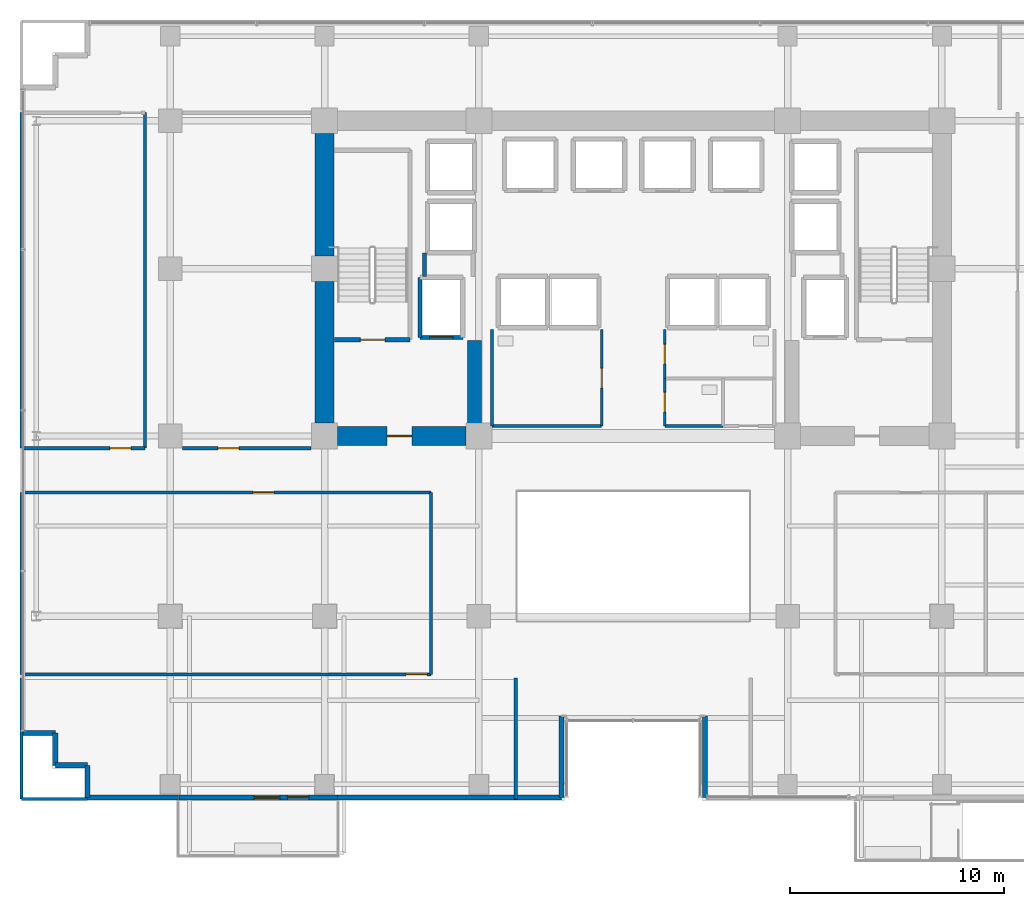
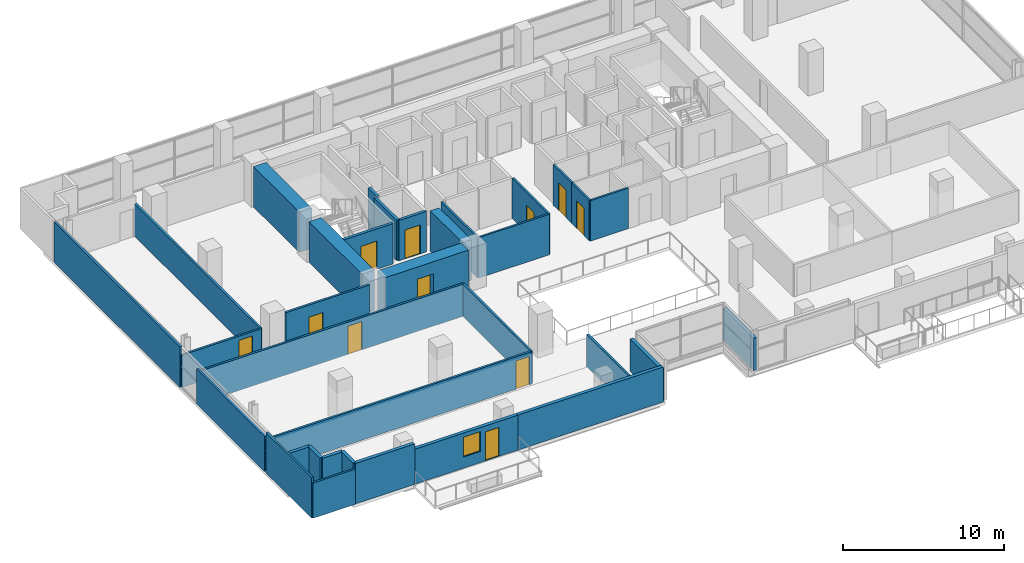
# One storey, part 21 of 28: 34 walls, 11 doors, 1 window, 12 openings.
"""IFC4 building model written with IfcOpenShell, lengths in metres."""

import ifcopenshell
import ifcopenshell.guid

model = None  # the IFC model being written
_history = None  # IfcOwnerHistory: only IFC2X3 demands one
_inside = {}  # id of a spatial element -> (the spatial element, [elements in it])
_under = {}  # id of a project, library or spatial element -> (it, [spatial elements below it])
_declared = {}  # id of a project -> (the project, [libraries it declares])
_typed = {}  # id of a type object -> (the type object, [elements of that type])
_made_of = {}  # id of a material, layer set ... -> (it, [elements and type objects made of it])


def new_model(schema):
    """Start an empty IFC model of exactly this schema.

    Asked for "IFC4X3", IfcOpenShell would pick the latest addendum, in which some entities
    have other attributes; the version numbers below select the first issue.
    IFC2X3 requires an IfcOwnerHistory on every rooted entity: one is made here for all.
    """
    global model, _history
    if schema == "IFC4X3":
        model = ifcopenshell.file(schema_version=(4, 3, 0, 0))
    else:
        model = ifcopenshell.file(schema=schema)
    _inside.clear()
    _under.clear()
    _declared.clear()
    _typed.clear()
    _made_of.clear()
    _history = None
    if model.schema == "IFC2X3":
        org = make("IfcOrganization", Name="unknown")
        user = make(
            "IfcPersonAndOrganization",
            ThePerson=make("IfcPerson", FamilyName="unknown"),
            TheOrganization=org,
        )
        app = make(
            "IfcApplication",
            ApplicationDeveloper=org,
            Version="unknown",
            ApplicationFullName="unknown",
            ApplicationIdentifier="unknown",
        )
        _history = make(
            "IfcOwnerHistory",
            OwningUser=user,
            OwningApplication=app,
            ChangeAction="ADDED",
            CreationDate=0,
        )
    return model


def make(cls, **values):
    """One entity of the class cls with the attributes given. An attribute that is None is left unset."""
    return model.create_entity(
        cls, **{name: value for name, value in values.items() if value is not None}
    )


def rooted(cls, **values):
    """An entity with a GlobalId (a new one), such as an element, a storey or a relation."""
    return make(cls, GlobalId=ifcopenshell.guid.new(), OwnerHistory=_history, **values)


def si_unit(unit_type, name, prefix=None):
    """IfcSIUnit, for example si_unit("LENGTHUNIT", "METRE", prefix="MILLI")."""
    return make("IfcSIUnit", UnitType=unit_type, Prefix=prefix, Name=name)


def assignment(units):
    """IfcUnitAssignment: the units of a project."""
    return None if units is None else make("IfcUnitAssignment", Units=units)


def point(xyz):
    """IfcCartesianPoint."""
    return None if xyz is None else make("IfcCartesianPoint", Coordinates=xyz)


def direction(xyz):
    """IfcDirection."""
    return None if xyz is None else make("IfcDirection", DirectionRatios=xyz)


def frame(location, z_axis=None, x_axis=None):
    """IfcAxis2Placement3D, a coordinate frame: its origin and axes. An axis left out is left unset."""
    return make(
        "IfcAxis2Placement3D",
        Location=point(location),
        Axis=direction(z_axis),
        RefDirection=direction(x_axis),
    )


def frame_2d(location, x_axis=None):
    """IfcAxis2Placement2D, a coordinate frame in the plane: its origin and x axis."""
    return make(
        "IfcAxis2Placement2D", Location=point(location), RefDirection=direction(x_axis)
    )


def origin():
    """The frame at (0, 0, 0) with its axes left unset."""
    return frame((0.0, 0.0, 0.0))


def place(relative_to, where):
    """IfcLocalPlacement: puts the frame where relative to a parent placement (None: the world)."""
    return make(
        "IfcLocalPlacement", PlacementRelTo=relative_to, RelativePlacement=where
    )


def context(
    kind, dimensions, precision=None, world=None, true_north=None, identifier=None
):
    """IfcGeometricRepresentationContext, for example the 3D "Model" context."""
    return make(
        "IfcGeometricRepresentationContext",
        ContextIdentifier=identifier,
        ContextType=kind,
        CoordinateSpaceDimension=dimensions,
        Precision=precision,
        WorldCoordinateSystem=world,
        TrueNorth=true_north,
    )


def subcontext(parent, identifier, kind, view, scale=None):
    """IfcGeometricRepresentationSubContext, for example "Body" below "Model"."""
    return make(
        "IfcGeometricRepresentationSubContext",
        ContextIdentifier=identifier,
        ContextType=kind,
        ParentContext=parent,
        TargetScale=scale,
        TargetView=view,
    )


def project(units=None, contexts=None):
    """IfcProject with its units and contexts."""
    return rooted(
        "IfcProject",
        Name="project",
        RepresentationContexts=contexts,
        UnitsInContext=assignment(units),
    )


def spatial(cls, under=None, at=None, **own):
    """A site, building, storey or space (cls), placed at a placement, below another one or the project."""
    s = rooted(cls, ObjectPlacement=at, **own)
    if under is not None:
        _under.setdefault(under.id(), (under, []))[1].append(s)
    return s


def profile(cls, at=None, kind="AREA", **sizes):
    """A parametric profile (cls). Its sizes go by their IFC names, for example OverallWidth=200.0."""
    return make(cls, ProfileType=kind, Position=at, **sizes)


def rectangle(**sizes):
    """IfcRectangleProfileDef."""
    return profile("IfcRectangleProfileDef", **sizes)


def extrude(swept, where, along, depth):
    """IfcExtrudedAreaSolid: the profile swept, set in the frame where, extruded along a direction by depth."""
    return make(
        "IfcExtrudedAreaSolid",
        SweptArea=swept,
        Position=where,
        ExtrudedDirection=direction(along),
        Depth=depth,
    )


def shape(context_of_items, identifier, shape_type, items):
    """IfcShapeRepresentation: the items that make up one representation, for example the "Body"."""
    return make(
        "IfcShapeRepresentation",
        ContextOfItems=context_of_items,
        RepresentationIdentifier=identifier,
        RepresentationType=shape_type,
        Items=items,
    )


def source(mapping_origin, context_of_items, identifier, shape_type, items):
    """IfcRepresentationMap: a shape defined once, which mapped items show again and again."""
    return make(
        "IfcRepresentationMap",
        MappingOrigin=mapping_origin,
        MappedRepresentation=shape(context_of_items, identifier, shape_type, items),
    )


def transform(
    local_origin,
    x_axis=None,
    y_axis=None,
    z_axis=None,
    scale=None,
    scale2=None,
    scale3=None,
    uniform=True,
):
    """IfcCartesianTransformationOperator3D, or its non-uniform kind. x_axis, y_axis, z_axis: its Axis1, 2, 3."""
    if uniform:
        return make(
            "IfcCartesianTransformationOperator3D",
            Axis1=direction(x_axis),
            Axis2=direction(y_axis),
            LocalOrigin=point(local_origin),
            Scale=scale,
            Axis3=direction(z_axis),
        )
    return make(
        "IfcCartesianTransformationOperator3DnonUniform",
        Axis1=direction(x_axis),
        Axis2=direction(y_axis),
        LocalOrigin=point(local_origin),
        Scale=scale,
        Axis3=direction(z_axis),
        Scale2=scale2,
        Scale3=scale3,
    )


def mapped(mapping_source, mapping_target):
    """IfcMappedItem: shows the shape of a source again, moved by a transform."""
    return make(
        "IfcMappedItem", MappingSource=mapping_source, MappingTarget=mapping_target
    )


def material(Name=None, Category=None):
    """IfcMaterial."""
    return make("IfcMaterial", Name=Name, Category=Category)


def layer(
    of_material, thickness, ventilated=None, Name=None, Category=None, Priority=None
):
    """IfcMaterialLayer: one layer of a wall or slab, of a material (None: an air gap)."""
    return make(
        "IfcMaterialLayer",
        Material=of_material,
        LayerThickness=thickness,
        IsVentilated=ventilated,
        Name=Name,
        Category=Category,
        Priority=Priority,
    )


def layer_set(layers, Name=None):
    """IfcMaterialLayerSet."""
    return make("IfcMaterialLayerSet", MaterialLayers=layers, LayerSetName=Name)


def made_of(thing, what):
    """Note that an element or type object is made of a material, layer set ...; save() writes the relation."""
    if what is not None:
        _made_of.setdefault(what.id(), (what, []))[1].append(thing)
    return thing


def type_object(cls, material=None, **own):
    """A type object (cls), such as IfcWallType, which elements share."""
    return made_of(rooted(cls, **own), material)


def element(
    cls,
    number,
    at=None,
    inside=None,
    cuts=None,
    type_object=None,
    material=None,
    context=None,
    identifier="Body",
    shape_type=None,
    held_by="IfcProductDefinitionShape",
    body=None,
    shapes=None,
    **own,
):
    """One element of the class cls, such as IfcWall. Its Tag is "e" and its number.

    at: its placement. inside: the storey or other place that contains it. cuts: it is an
    opening in that element (IfcRelVoidsElement). A single representation is given by context,
    identifier, shape_type and body (its items); several are given by shapes. held_by: the class
    of the entity that holds the representations. save() writes the other relations.
    """
    e = rooted(cls, Tag="e%d" % number, ObjectPlacement=at, **own)
    if body is not None:
        shapes = [shape(context, identifier, shape_type, body)]
    if shapes is not None:
        e.Representation = make(held_by, Representations=shapes)
    if inside is not None:
        _inside.setdefault(inside.id(), (inside, []))[1].append(e)
    if cuts is not None:
        rooted(
            "IfcRelVoidsElement", RelatingBuildingElement=cuts, RelatedOpeningElement=e
        )
    if type_object is not None:
        _typed.setdefault(type_object.id(), (type_object, []))[1].append(e)
    return made_of(e, material)


def fill(opening, filler):
    """IfcRelFillsElement: the door or window that sits in an opening."""
    return rooted(
        "IfcRelFillsElement",
        RelatingOpeningElement=opening,
        RelatedBuildingElement=filler,
    )


def aggregate(whole, parts):
    """IfcRelAggregates: a whole, such as a stair, and the parts it consists of."""
    return rooted("IfcRelAggregates", RelatingObject=whole, RelatedObjects=parts)


def save(model, path):
    """Write the relations noted so far, then the file.

    IfcRelAggregates (storeys below a building ...), IfcRelContainedInSpatialStructure (elements
    in a storey), IfcRelDefinesByType, IfcRelAssociatesMaterial and IfcRelDeclares: one each for
    every whole, place, type object, material and project.
    """
    for whole, parts in _under.values():
        aggregate(whole, parts)
    for where, things in _inside.values():
        rooted(
            "IfcRelContainedInSpatialStructure",
            RelatedElements=things,
            RelatingStructure=where,
        )
    for kind, things in _typed.values():
        rooted("IfcRelDefinesByType", RelatedObjects=things, RelatingType=kind)
    for what, things in _made_of.values():
        rooted("IfcRelAssociatesMaterial", RelatedObjects=things, RelatingMaterial=what)
    for by, libraries in _declared.values():
        rooted("IfcRelDeclares", RelatingContext=by, RelatedDefinitions=libraries)
    model.write(path)


model = new_model("IFC4")

# Units and contexts
model_context = context("Model", 3, precision=1e-05, world=origin(), true_north=direction((0.0, 1.0)))
body_context = subcontext(model_context, "Body", "Model", "MODEL_VIEW")
ifc_project = project(units=[si_unit("LENGTHUNIT", "METRE"), si_unit("AREAUNIT", "SQUARE_METRE"), si_unit("VOLUMEUNIT", "CUBIC_METRE"), si_unit("PLANEANGLEUNIT", "RADIAN"), si_unit("MASSUNIT", "GRAM", prefix="KILO")], contexts=[model_context])

# Site, building, storey
site_placement = place(None, origin())
site = spatial("IfcSite", under=ifc_project, at=site_placement, CompositionType="ELEMENT")
building_placement = place(site_placement, origin())
building = spatial("IfcBuilding", under=site, at=building_placement, Name="Zarnakvel Exchange Tower", CompositionType="ELEMENT")
storey_placement = place(building_placement, frame((0.0, 0.0, 57.10009765625)))
storey = spatial("IfcBuildingStorey", under=building, at=storey_placement, Name="L15", CompositionType="ELEMENT", Elevation=57.10009765625)

# Walls
ifc_material_1 = material(Name="Concrete C80/95", Category="concrete")
ifc_layer_1 = layer(ifc_material_1, 0.89990234375)
ifc_layer_set_1 = layer_set([ifc_layer_1], Name="Concrete C80/95")
wall_type_1 = type_object("IfcWallType", Name="CW-C1", PredefinedType="SHEAR", material=ifc_layer_set_1)
wall_1_placement = place(storey_placement, frame((-14.39990234375, -0.60009765625, 0.0), z_axis=(0.0, 0.0, 1.0), x_axis=(0.0, 1.0, 0.0)))
element("IfcWall", 1, at=wall_1_placement, inside=storey, type_object=wall_type_1, Name="L15 Rear Core Shear Wall W1 (CW-C1)", PredefinedType="SHEAR", context=body_context, shape_type="SweptSolid", body=[
    extrude(rectangle(XDim=6.60009765625, YDim=0.89990234375, at=frame_2d((3.300048828125, 0.0))), origin(), (0.0, 0.0, 1.0), 3.074951171875),
])
wall_2_placement = place(storey_placement, frame((-14.39990234375, 7.199951171875, 0.0), z_axis=(0.0, 0.0, 1.0), x_axis=(0.0, 1.0, 0.0)))
element("IfcWall", 2, at=wall_2_placement, inside=storey, type_object=wall_type_1, Name="L15 Rear Core Shear Wall W2 (CW-C1)", PredefinedType="SHEAR", context=body_context, shape_type="SweptSolid", body=[
    extrude(rectangle(XDim=5.699951171875, YDim=0.89990234375, at=frame_2d((2.85009765625, 0.0))), origin(), (0.0, 0.0, 1.0), 3.074951171875),
])

# Wall, opening, door
wall_3_placement = place(storey_placement, frame((-7.800048828125, -1.199951171875, 0.0), z_axis=(0.0, 0.0, 1.0), x_axis=(-1.0, 0.0, 0.0)))
wall_3 = element("IfcWall", 3, at=wall_3_placement, inside=storey, type_object=wall_type_1, Name="L15 Rear Core Shear Wall SW (CW-C1)", PredefinedType="SHEAR", context=body_context, shape_type="SweptSolid", body=[
    extrude(rectangle(XDim=6.0, YDim=0.89990234375, at=frame_2d((3.0, 0.0))), origin(), (0.0, 0.0, 1.0), 3.074951171875),
])
opening_1_placement = place(wall_3_placement, frame((2.52490234375, 0.0, 0.0)))
opening_1 = element("IfcOpeningElement", 4, at=opening_1_placement, cuts=wall_3, Name="Opening D-L15-03", PredefinedType="OPENING", context=body_context, shape_type="SweptSolid", body=[
    extrude(rectangle(XDim=1.14990234375, YDim=2.14990234375, at=frame_2d((0.574951171875, 1.074951171875))), frame((0.0, 0.4599609375, 0.0), z_axis=(0.0, -1.0, 0.0), x_axis=(1.0, 0.0, 0.0)), (0.0, 0.0, 1.0), 0.919921875),
])
ifc_material_2 = material(Name="Painted Galvanised Steel S355", Category="steel")
door_type_1 = type_object("IfcDoorType", Name="DT-04", OperationType="NOTDEFINED", PredefinedType="DOOR", material=ifc_material_2)
shared_shape_1 = source(origin(), body_context, "Body", "SweptSolid", [
    extrude(rectangle(XDim=1.14990234375, YDim=2.14990234375, at=frame_2d((0.574951171875, 1.074951171875))), frame((0.0, 0.02490234375, 0.0), z_axis=(0.0, -1.0, 0.0), x_axis=(1.0, 0.0, 0.0)), (0.0, 0.0, 1.0), 0.050048828125),
])
door_1_placement = place(opening_1_placement, origin())
door_1 = element("IfcDoor", 5, at=door_1_placement, inside=storey, type_object=door_type_1, Name="L15 Firefighting Lobby West Door D-L15-03", OperationType="SINGLE_SWING_LEFT", OverallHeight=2.14990234375, OverallWidth=1.14990234375, PredefinedType="DOOR", context=body_context, shape_type="MappedRepresentation", body=[
    mapped(shared_shape_1, transform((0.0, 0.0, 0.0), x_axis=(1.0, 0.0, 0.0), y_axis=(0.0, 1.0, 0.0), z_axis=(0.0, 0.0, 1.0), scale=1.0)),
])
fill(opening_1, door_1)

# Wall
ifc_layer_2 = layer(ifc_material_1, 0.64990234375)
ifc_layer_set_2 = layer_set([ifc_layer_2], Name="Concrete C80/95")
wall_type_2 = type_object("IfcWallType", Name="CW-C2", PredefinedType="SHEAR", material=ifc_layer_set_2)
wall_4_placement = place(storey_placement, frame((-7.39990234375, -0.75, 0.0), z_axis=(0.0, 0.0, 1.0), x_axis=(0.0, 1.0, 0.0)))
element("IfcWall", 6, at=wall_4_placement, inside=storey, type_object=wall_type_2, Name="L15 Rear Core Shear Wall IW (CW-C2)", PredefinedType="SHEAR", context=body_context, shape_type="SweptSolid", body=[
    extrude(rectangle(XDim=4.0, YDim=0.64990234375, at=frame_2d((2.0, 0.0))), origin(), (0.0, 0.0, 1.0), 3.074951171875),
])

# Wall, openings, door, window
ifc_material_3 = material(Name="Precast concrete C40/50", Category="concrete")
ifc_layer_3 = layer(ifc_material_3, 0.239990234375)
ifc_layer_set_3 = layer_set([ifc_layer_3], Name="Precast concrete C40/50")
wall_type_3 = type_object("IfcWallType", Name="EW-02", PredefinedType="SOLIDWALL", material=ifc_layer_set_3)
wall_5_placement = place(storey_placement, frame((-13.800048828125, -18.06005859375, 0.0), z_axis=(0.0, 0.0, 1.0), x_axis=(-1.0, 0.0, 0.0)))
wall_5 = element("IfcWall", 7, at=wall_5_placement, inside=storey, type_object=wall_type_3, Name="L15 Exterior Precast Spandrel Wall EW-BAL-L15-SW (EW-02)", PredefinedType="SOLIDWALL", context=body_context, shape_type="SweptSolid", body=[
    extrude(rectangle(XDim=7.39990234375, YDim=0.239990234375, at=frame_2d((3.699951171875, 0.0))), origin(), (0.0, 0.0, 1.0), 2.664794921875),
])
opening_2_placement = place(wall_5_placement, frame((1.33203125, 0.0, 0.0)))
opening_2 = element("IfcOpeningElement", 8, at=opening_2_placement, cuts=wall_5, Name="Opening BD-L15-01", PredefinedType="OPENING", context=body_context, shape_type="SweptSolid", body=[
    extrude(rectangle(XDim=1.0, YDim=2.199951171875, at=frame_2d((0.5, 1.10009765625))), frame((0.0, 0.1298828125, 0.0), z_axis=(0.0, -1.0, 0.0), x_axis=(1.0, 0.0, 0.0)), (0.0, 0.0, 1.0), 0.260009765625),
])
opening_3_placement = place(wall_5_placement, frame((2.681884765625, 0.0, 0.85009765625)))
opening_3 = element("IfcOpeningElement", 9, at=opening_3_placement, cuts=wall_5, Name="Opening WN-04", PredefinedType="OPENING", context=body_context, shape_type="SweptSolid", body=[
    extrude(rectangle(XDim=1.199951171875, YDim=1.5, at=frame_2d((0.60009765625, 0.75))), frame((0.0, 0.1298828125, 0.0), z_axis=(0.0, -1.0, 0.0), x_axis=(1.0, 0.0, 0.0)), (0.0, 0.0, 1.0), 0.260009765625),
])
ifc_material_4 = material(Name="Architectural Bronze Anodised Aluminium", Category="aluminium")
door_type_2 = type_object("IfcDoorType", Name="DT-09", OperationType="NOTDEFINED", PredefinedType="DOOR", material=ifc_material_4)
shared_shape_2 = source(origin(), body_context, "Body", "SweptSolid", [
    extrude(rectangle(XDim=1.0, YDim=2.199951171875, at=frame_2d((0.5, 1.10009765625))), frame((0.0, 0.02490234375, 0.0), z_axis=(0.0, -1.0, 0.0), x_axis=(1.0, 0.0, 0.0)), (0.0, 0.0, 1.0), 0.050048828125),
])
door_2_placement = place(opening_2_placement, origin())
door_2 = element("IfcDoor", 10, at=door_2_placement, inside=storey, type_object=door_type_2, Name="L15 Planted Loggia Balcony Door BD-L15-01", OperationType="SINGLE_SWING_LEFT", OverallHeight=2.199951171875, OverallWidth=1.0, PredefinedType="DOOR", context=body_context, shape_type="MappedRepresentation", body=[
    mapped(shared_shape_2, transform((0.0, 0.0, 0.0), x_axis=(1.0, 0.0, 0.0), y_axis=(0.0, 1.0, 0.0), z_axis=(0.0, 0.0, 1.0), scale=1.0)),
])
fill(opening_2, door_2)
ifc_material_5 = material(Name="Double Low-E Laminated Vision Glass", Category="glass")
window_type = type_object("IfcWindowType", Name="WN-04", PartitioningType="SINGLE_PANEL", PredefinedType="WINDOW", material=ifc_material_5)
shared_shape_3 = source(origin(), body_context, "Body", "SweptSolid", [
    extrude(rectangle(XDim=1.199951171875, YDim=1.5, at=frame_2d((0.60009765625, 0.75))), frame((0.0, 0.030029296875, 0.0), z_axis=(0.0, -1.0, 0.0), x_axis=(1.0, 0.0, 0.0)), (0.0, 0.0, 1.0), 0.06005859375),
])
window_placement = place(opening_3_placement, origin())
window = element("IfcWindow", 11, at=window_placement, inside=storey, type_object=window_type, Name="L15 Loggia Daylight Window (WN-04)", OverallHeight=1.5, OverallWidth=1.199951171875, PartitioningType="SINGLE_PANEL", PredefinedType="WINDOW", context=body_context, shape_type="MappedRepresentation", body=[
    mapped(shared_shape_3, transform((0.0, 0.0, 0.0), x_axis=(1.0, 0.0, 0.0), y_axis=(0.0, 1.0, 0.0), z_axis=(0.0, 0.0, 1.0), scale=1.0)),
])
fill(opening_3, window)

# Walls
for number, where, z_axis, x_axis, name in (
    (12, (3.340087890625, -14.260009765625, 0.0), (0.0, 0.0, 1.0), (0.0, -1.0, 0.0), "L15 Exterior Precast Spandrel Wall EWC-L15-17 (EW-02)"),
    (13, (-3.340087890625, -18.06005859375, 0.0), (0.0, 0.0, 1.0), (0.0, 1.0, 0.0), "L15 Exterior Precast Spandrel Wall EWC-L15-20 (EW-02)"),
):
    element("IfcWall", number, at=place(storey_placement, frame(where, z_axis=z_axis, x_axis=x_axis)), inside=storey, type_object=wall_type_3, Name=name, PredefinedType="SOLIDWALL", context=body_context, shape_type="SweptSolid", body=[
        extrude(rectangle(XDim=3.800048828125, YDim=0.239990234375, at=frame_2d((1.89990234375, 0.0))), origin(), (0.0, 0.0, 1.0), 2.46484375),
    ])
wall_6_placement = place(storey_placement, frame((-13.800048828125, -18.06005859375, 0.0), z_axis=(0.0, 0.0, 1.0), x_axis=(1.0, 0.0, 0.0)))
element("IfcWall", 14, at=wall_6_placement, inside=storey, type_object=wall_type_3, Name="L15 Exterior Precast Spandrel Wall EWC-L15-21 (EW-02)", PredefinedType="SOLIDWALL", context=body_context, shape_type="SweptSolid", body=[
    extrude(rectangle(XDim=10.4599609375, YDim=0.239990234375, at=frame_2d((5.22998046875, 0.0))), origin(), (0.0, 0.0, 1.0), 2.664794921875),
])
wall_7_placement = place(storey_placement, frame((-25.4599609375, -18.06005859375, 0.0), z_axis=(0.0, 0.0, 1.0), x_axis=(1.0, 0.0, 0.0)))
element("IfcWall", 15, at=wall_7_placement, inside=storey, type_object=wall_type_3, Name="L15 Exterior Precast Spandrel Wall EWC-L15-22 (EW-02)", PredefinedType="SOLIDWALL", context=body_context, shape_type="SweptSolid", body=[
    extrude(rectangle(XDim=4.260009765625, YDim=0.239990234375, at=frame_2d((2.1298828125, 0.0))), origin(), (0.0, 0.0, 1.0), 3.074951171875),
])
for number, where, z_axis, x_axis, name in (
    (16, (-25.4599609375, -16.56005859375, 0.0), (0.0, 0.0, 1.0), (0.0, -1.0, 0.0), "L15 Exterior Precast Spandrel Wall EWC-L15-23 (EW-02)"),
    (17, (-26.9599609375, -16.56005859375, 0.0), (0.0, 0.0, 1.0), (1.0, 0.0, 0.0), "L15 Exterior Precast Spandrel Wall EWC-L15-24 (EW-02)"),
    (18, (-26.9599609375, -15.06005859375, 0.0), (0.0, 0.0, 1.0), (0.0, -1.0, 0.0), "L15 Exterior Precast Spandrel Wall EWC-L15-25 (EW-02)"),
    (19, (-28.4599609375, -15.06005859375, 0.0), (0.0, 0.0, 1.0), (1.0, 0.0, 0.0), "L15 Exterior Precast Spandrel Wall EWC-L15-26 (EW-02)"),
):
    element("IfcWall", number, at=place(storey_placement, frame(where, z_axis=z_axis, x_axis=x_axis)), inside=storey, type_object=wall_type_3, Name=name, PredefinedType="SOLIDWALL", context=body_context, shape_type="SweptSolid", body=[
        extrude(rectangle(XDim=1.5, YDim=0.239990234375, at=frame_2d((0.75, 0.0))), origin(), (0.0, 0.0, 1.0), 3.074951171875),
    ])

# Wall, opening, door
ifc_material_6 = material(Name="Fire-Rated Gypsum Stud Partition", Category="gypsum")
ifc_layer_4 = layer(ifc_material_6, 0.14990234375)
ifc_layer_set_4 = layer_set([ifc_layer_4], Name="Fire-Rated Gypsum Stud Partition")
wall_type_4 = type_object("IfcWallType", Name="PT-01", PredefinedType="PARTITIONING", material=ifc_layer_set_4)
wall_8_placement = place(storey_placement, frame((-9.429931640625, -12.320068359375, 0.0), z_axis=(0.0, 0.0, 1.0), x_axis=(-1.0, 0.0, 0.0)))
wall_8 = element("IfcWall", 20, at=wall_8_placement, inside=storey, type_object=wall_type_4, Name="L15 Partition Wall PWALL-L15-022 (PT-01)", PredefinedType="PARTITIONING", context=body_context, shape_type="SweptSolid", body=[
    extrude(rectangle(XDim=19.10009765625, YDim=0.14990234375, at=frame_2d((9.550048828125, 0.0))), origin(), (0.0, 0.0, 1.0), 2.46484375),
])
opening_4_placement = place(wall_8_placement, frame((0.179931640625, 0.0, 0.0)))
opening_4 = element("IfcOpeningElement", 21, at=opening_4_placement, cuts=wall_8, Name="Opening D-L15-10", PredefinedType="OPENING", context=body_context, shape_type="SweptSolid", body=[
    extrude(rectangle(XDim=0.97998046875, YDim=2.14990234375, at=frame_2d((0.489990234375, 1.074951171875))), frame((0.0, 0.0849609375, 0.0), z_axis=(0.0, -1.0, 0.0), x_axis=(1.0, 0.0, 0.0)), (0.0, 0.0, 1.0), 0.169921875),
])
ifc_material_7 = material(Name="Timber Acoustic Veneer", Category="wood")
door_type_3 = type_object("IfcDoorType", Name="DT-05", OperationType="NOTDEFINED", PredefinedType="DOOR", material=ifc_material_7)
shared_shape_4 = source(origin(), body_context, "Body", "SweptSolid", [
    extrude(rectangle(XDim=0.97998046875, YDim=2.14990234375, at=frame_2d((0.489990234375, 1.074951171875))), frame((0.0, 0.02490234375, 0.0), z_axis=(0.0, -1.0, 0.0), x_axis=(1.0, 0.0, 0.0)), (0.0, 0.0, 1.0), 0.050048828125),
])
door_3_placement = place(opening_4_placement, origin())
door_3 = element("IfcDoor", 22, at=door_3_placement, inside=storey, type_object=door_type_3, Name="L15 Commodities Dealing Room Door D-L15-10", OperationType="SINGLE_SWING_RIGHT", OverallHeight=2.14990234375, OverallWidth=0.97998046875, PredefinedType="DOOR", context=body_context, shape_type="MappedRepresentation", body=[
    mapped(shared_shape_4, transform((0.0, 0.0, 0.0), x_axis=(1.0, 0.0, 0.0), y_axis=(0.0, 1.0, 0.0), z_axis=(0.0, 0.0, 1.0), scale=1.0)),
])
fill(opening_4, door_3)

wall_9_placement = place(storey_placement, frame((-28.530029296875, -3.830078125, 0.0), z_axis=(0.0, 0.0, 1.0), x_axis=(1.0, 0.0, 0.0)))
wall_9 = element("IfcWall", 23, at=wall_9_placement, inside=storey, type_object=wall_type_4, Name="L15 Partition Wall PWALL-L15-023 (PT-01)", PredefinedType="PARTITIONING", context=body_context, shape_type="SweptSolid", body=[
    extrude(rectangle(XDim=19.10009765625, YDim=0.14990234375, at=frame_2d((9.550048828125, 0.0))), origin(), (0.0, 0.0, 1.0), 2.46484375),
])
opening_5_placement = place(wall_9_placement, frame((10.784912109375, 0.0, 0.0)))
opening_5 = element("IfcOpeningElement", 24, at=opening_5_placement, cuts=wall_9, Name="Opening D-L15-09", PredefinedType="OPENING", context=body_context, shape_type="SweptSolid", body=[
    extrude(rectangle(XDim=0.97998046875, YDim=2.14990234375, at=frame_2d((0.489990234375, 1.074951171875))), frame((0.0, 0.0849609375, 0.0), z_axis=(0.0, -1.0, 0.0), x_axis=(1.0, 0.0, 0.0)), (0.0, 0.0, 1.0), 0.169921875),
])
door_4_placement = place(opening_5_placement, origin())
door_4 = element("IfcDoor", 25, at=door_4_placement, inside=storey, type_object=door_type_3, Name="L15 Commodities Dealing Room Door D-L15-09", OperationType="SINGLE_SWING_LEFT", OverallHeight=2.14990234375, OverallWidth=0.97998046875, PredefinedType="DOOR", context=body_context, shape_type="MappedRepresentation", body=[
    mapped(shared_shape_4, transform((0.0, 0.0, 0.0), x_axis=(1.0, 0.0, 0.0), y_axis=(0.0, 1.0, 0.0), z_axis=(0.0, 0.0, 1.0), scale=1.0)),
])
fill(opening_5, door_4)

# Walls
wall_10_placement = place(storey_placement, frame((-28.530029296875, -12.320068359375, 0.0), z_axis=(0.0, 0.0, 1.0), x_axis=(0.0, 1.0, 0.0)))
element("IfcWall", 26, at=wall_10_placement, inside=storey, type_object=wall_type_4, Name="L15 Partition Wall PWALL-L15-024 (PT-01)", PredefinedType="PARTITIONING", context=body_context, shape_type="SweptSolid", body=[
    extrude(rectangle(XDim=8.489990234375, YDim=0.14990234375, at=frame_2d((4.2451171875, 0.0))), origin(), (0.0, 0.0, 1.0), 2.664794921875),
])
wall_11_placement = place(storey_placement, frame((-9.429931640625, -3.830078125, 0.0), z_axis=(0.0, 0.0, 1.0), x_axis=(0.0, -1.0, 0.0)))
element("IfcWall", 27, at=wall_11_placement, inside=storey, type_object=wall_type_4, Name="L15 Partition Wall PWALL-L15-025 (PT-01)", PredefinedType="PARTITIONING", context=body_context, shape_type="SweptSolid", body=[
    extrude(rectangle(XDim=8.489990234375, YDim=0.14990234375, at=frame_2d((4.2451171875, 0.0))), origin(), (0.0, 0.0, 1.0), 2.46484375),
])
wall_12_placement = place(storey_placement, frame((-25.4599609375, -18.1298828125, 0.0), z_axis=(0.0, 0.0, 1.0), x_axis=(-1.0, 0.0, 0.0)))
element("IfcWall", 28, at=wall_12_placement, inside=storey, type_object=wall_type_4, Name="L15 Partition Wall PWALL-L15-026 (PT-01)", PredefinedType="PARTITIONING", context=body_context, shape_type="SweptSolid", body=[
    extrude(rectangle(XDim=3.070068359375, YDim=0.14990234375, at=frame_2d((1.53515625, 0.0))), origin(), (0.0, 0.0, 1.0), 2.664794921875),
])
wall_13_placement = place(storey_placement, frame((-28.530029296875, -18.1298828125, 0.0), z_axis=(0.0, 0.0, 1.0), x_axis=(0.0, 1.0, 0.0)))
element("IfcWall", 29, at=wall_13_placement, inside=storey, type_object=wall_type_4, Name="L15 Partition Wall PWALL-L15-027 (PT-01)", PredefinedType="PARTITIONING", context=body_context, shape_type="SweptSolid", body=[
    extrude(rectangle(XDim=5.64990234375, YDim=0.14990234375, at=frame_2d((2.824951171875, 0.0))), origin(), (0.0, 0.0, 1.0), 3.074951171875),
])
wall_14_placement = place(storey_placement, frame((-5.47998046875, -12.47998046875, 0.0), z_axis=(0.0, 0.0, 1.0), x_axis=(0.0, -1.0, 0.0)))
element("IfcWall", 30, at=wall_14_placement, inside=storey, type_object=wall_type_4, Name="L15 Partition Wall PWALL-L15-028 (PT-01)", PredefinedType="PARTITIONING", context=body_context, shape_type="SweptSolid", body=[
    extrude(rectangle(XDim=5.64990234375, YDim=0.14990234375, at=frame_2d((2.824951171875, 0.0))), origin(), (0.0, 0.0, 1.0), 2.46484375),
])

# Wall, opening, door
wall_15_placement = place(storey_placement, frame((-22.7685546875, -1.77001953125, 0.0), z_axis=(0.0, 0.0, 1.0), x_axis=(-1.0, 0.0, 0.0)))
wall_15 = element("IfcWall", 31, at=wall_15_placement, inside=storey, type_object=wall_type_4, Name="L15 Partition Wall PWALL-L15-039 (PT-01)", PredefinedType="PARTITIONING", context=body_context, shape_type="SweptSolid", body=[
    extrude(rectangle(XDim=5.761474609375, YDim=0.14990234375, at=frame_2d((2.880859375, 0.0))), origin(), (0.0, 0.0, 1.0), 2.46484375),
])
opening_6_placement = place(wall_15_placement, frame((0.66552734375, 0.0, 0.0)))
opening_6 = element("IfcOpeningElement", 32, at=opening_6_placement, cuts=wall_15, Name="Opening D-L15-14", PredefinedType="OPENING", context=body_context, shape_type="SweptSolid", body=[
    extrude(rectangle(XDim=0.97998046875, YDim=2.14990234375, at=frame_2d((0.489990234375, 1.074951171875))), frame((0.0, 0.0849609375, 0.0), z_axis=(0.0, -1.0, 0.0), x_axis=(1.0, 0.0, 0.0)), (0.0, 0.0, 1.0), 0.169921875),
])
door_5_placement = place(opening_6_placement, origin())
door_5 = element("IfcDoor", 33, at=door_5_placement, inside=storey, type_object=door_type_3, Name="L15 Boardroom Door D-L15-14", OperationType="SINGLE_SWING_RIGHT", OverallHeight=2.14990234375, OverallWidth=0.97998046875, PredefinedType="DOOR", context=body_context, shape_type="MappedRepresentation", body=[
    mapped(shared_shape_4, transform((0.0, 0.0, 0.0), x_axis=(1.0, 0.0, 0.0), y_axis=(0.0, 1.0, 0.0), z_axis=(0.0, 0.0, 1.0), scale=1.0)),
])
fill(opening_6, door_5)

# Walls
wall_16_placement = place(storey_placement, frame((-28.530029296875, -1.77001953125, 0.0), z_axis=(0.0, 0.0, 1.0), x_axis=(0.0, 1.0, 0.0)))
element("IfcWall", 34, at=wall_16_placement, inside=storey, type_object=wall_type_4, Name="L15 Partition Wall PWALL-L15-041 (PT-01)", PredefinedType="PARTITIONING", context=body_context, shape_type="SweptSolid", body=[
    extrude(rectangle(XDim=15.64990234375, YDim=0.14990234375, at=frame_2d((7.824951171875, 0.0))), origin(), (0.0, 0.0, 1.0), 3.074951171875),
])
wall_17_placement = place(storey_placement, frame((-22.7685546875, 13.8798828125, 0.0), z_axis=(0.0, 0.0, 1.0), x_axis=(0.0, -1.0, 0.0)))
element("IfcWall", 35, at=wall_17_placement, inside=storey, type_object=wall_type_4, Name="L15 Partition Wall PWALL-L15-042 (PT-01)", PredefinedType="PARTITIONING", context=body_context, shape_type="SweptSolid", body=[
    extrude(rectangle(XDim=15.64990234375, YDim=0.14990234375, at=frame_2d((7.824951171875, 0.0))), origin(), (0.0, 0.0, 1.0), 2.46484375),
])

# Wall, opening, door
wall_18_placement = place(storey_placement, frame((-15.02001953125, -1.77001953125, 0.0), z_axis=(0.0, 0.0, 1.0), x_axis=(-1.0, 0.0, 0.0)))
wall_18 = element("IfcWall", 36, at=wall_18_placement, inside=storey, type_object=wall_type_4, Name="L15 Partition Wall PWALL-L15-043 (PT-01)", PredefinedType="PARTITIONING", context=body_context, shape_type="SweptSolid", body=[
    extrude(rectangle(XDim=6.010009765625, YDim=0.14990234375, at=frame_2d((3.0048828125, 0.0))), origin(), (0.0, 0.0, 1.0), 3.074951171875),
])
opening_7_placement = place(wall_18_placement, frame((3.35888671875, 0.0, 0.0)))
opening_7 = element("IfcOpeningElement", 37, at=opening_7_placement, cuts=wall_18, Name="Opening D-L15-15", PredefinedType="OPENING", context=body_context, shape_type="SweptSolid", body=[
    extrude(rectangle(XDim=0.97998046875, YDim=2.14990234375, at=frame_2d((0.489990234375, 1.074951171875))), frame((0.0, 0.0849609375, 0.0), z_axis=(0.0, -1.0, 0.0), x_axis=(1.0, 0.0, 0.0)), (0.0, 0.0, 1.0), 0.169921875),
])
door_6_placement = place(opening_7_placement, origin())
door_6 = element("IfcDoor", 38, at=door_6_placement, inside=storey, type_object=door_type_3, Name="L15 Tea Pantry Door D-L15-15", OperationType="SINGLE_SWING_LEFT", OverallHeight=2.14990234375, OverallWidth=0.97998046875, PredefinedType="DOOR", context=body_context, shape_type="MappedRepresentation", body=[
    mapped(shared_shape_4, transform((0.0, 0.0, 0.0), x_axis=(1.0, 0.0, 0.0), y_axis=(0.0, 1.0, 0.0), z_axis=(0.0, 0.0, 1.0), scale=1.0)),
])
fill(opening_7, door_6)

# Walls
ifc_layer_5 = layer(ifc_material_6, 0.179931640625)
ifc_layer_set_5 = layer_set([ifc_layer_5], Name="Fire-Rated Gypsum Stud Partition")
wall_type_5 = type_object("IfcWallType", Name="PT-02", PredefinedType="PARTITIONING", material=ifc_layer_set_5)
wall_19_placement = place(storey_placement, frame((-9.72998046875, 6.239990234375, 0.0), z_axis=(0.0, 0.0, 1.0), x_axis=(0.0, 1.0, 0.0)))
element("IfcWall", 39, at=wall_19_placement, inside=storey, type_object=wall_type_5, Name="L15 Partition Wall PWALL-L15-007 (PT-02)", PredefinedType="PARTITIONING", context=body_context, shape_type="SweptSolid", body=[
    extrude(rectangle(XDim=1.090087890625, YDim=0.179931640625, at=frame_2d((0.544921875, 0.0))), origin(), (0.0, 0.0, 1.0), 3.074951171875),
])
ifc_material_8 = material(Name="Moisture-Resistant Tile-Faced Partition", Category="gypsum")
ifc_layer_6 = layer(ifc_material_8, 0.135009765625)
ifc_layer_set_6 = layer_set([ifc_layer_6], Name="Moisture-Resistant Tile-Faced Partition")
wall_type_6 = type_object("IfcWallType", Name="PT-03", PredefinedType="PARTITIONING", material=ifc_layer_set_6)
wall_20_placement = place(storey_placement, frame((-1.469970703125, -0.72998046875, 0.0), z_axis=(0.0, 0.0, 1.0), x_axis=(-1.0, 0.0, 0.0)))
element("IfcWall", 40, at=wall_20_placement, inside=storey, type_object=wall_type_6, Name="L15 Partition Wall PWALL-L15-011 (PT-03)", PredefinedType="PARTITIONING", context=body_context, shape_type="SweptSolid", body=[
    extrude(rectangle(XDim=5.110107421875, YDim=0.135009765625, at=frame_2d((2.55517578125, 0.0))), origin(), (0.0, 0.0, 1.0), 3.074951171875),
])
wall_21_placement = place(storey_placement, frame((-6.580078125, -0.72998046875, 0.0), z_axis=(0.0, 0.0, 1.0), x_axis=(0.0, 1.0, 0.0)))
element("IfcWall", 41, at=wall_21_placement, inside=storey, type_object=wall_type_6, Name="L15 Partition Wall PWALL-L15-012 (PT-03)", PredefinedType="PARTITIONING", context=body_context, shape_type="SweptSolid", body=[
    extrude(rectangle(XDim=4.489990234375, YDim=0.135009765625, at=frame_2d((2.2451171875, 0.0))), origin(), (0.0, 0.0, 1.0), 3.074951171875),
])

# Wall, opening, door
wall_22_placement = place(storey_placement, frame((-1.469970703125, 3.760009765625, 0.0), z_axis=(0.0, 0.0, 1.0), x_axis=(0.0, -1.0, 0.0)))
wall_22 = element("IfcWall", 42, at=wall_22_placement, inside=storey, type_object=wall_type_6, Name="L15 Partition Wall PWALL-L15-013 (PT-03)", PredefinedType="PARTITIONING", context=body_context, shape_type="SweptSolid", body=[
    extrude(rectangle(XDim=4.489990234375, YDim=0.135009765625, at=frame_2d((2.2451171875, 0.0))), origin(), (0.0, 0.0, 1.0), 3.074951171875),
])
opening_8_placement = place(wall_22_placement, frame((1.800048828125, 0.0, 0.0)))
opening_8 = element("IfcOpeningElement", 43, at=opening_8_placement, cuts=wall_22, Name="Opening D-L15-05", PredefinedType="OPENING", context=body_context, shape_type="SweptSolid", body=[
    extrude(rectangle(XDim=0.919921875, YDim=2.10009765625, at=frame_2d((0.4599609375, 1.050048828125))), frame((0.0, 0.077392578125, 0.0), z_axis=(0.0, -1.0, 0.0), x_axis=(1.0, 0.0, 0.0)), (0.0, 0.0, 1.0), 0.155029296875),
])
ifc_material_9 = material(Name="Moisture-Resistant Laminate Timber", Category="wood")
door_type_4 = type_object("IfcDoorType", Name="DT-07", OperationType="NOTDEFINED", PredefinedType="DOOR", material=ifc_material_9)
shared_shape_5 = source(origin(), body_context, "Body", "SweptSolid", [
    extrude(rectangle(XDim=0.919921875, YDim=2.10009765625, at=frame_2d((0.4599609375, 1.050048828125))), frame((0.0, 0.02490234375, 0.0), z_axis=(0.0, -1.0, 0.0), x_axis=(1.0, 0.0, 0.0)), (0.0, 0.0, 1.0), 0.050048828125),
])
door_7_placement = place(opening_8_placement, origin())
door_7 = element("IfcDoor", 44, at=door_7_placement, inside=storey, type_object=door_type_4, Name="L15 Male Toilet Door D-L15-05", OperationType="SINGLE_SWING_LEFT", OverallHeight=2.10009765625, OverallWidth=0.919921875, PredefinedType="DOOR", context=body_context, shape_type="MappedRepresentation", body=[
    mapped(shared_shape_5, transform((0.0, 0.0, 0.0), x_axis=(1.0, 0.0, 0.0), y_axis=(0.0, 1.0, 0.0), z_axis=(0.0, 0.0, 1.0), scale=1.0)),
])
fill(opening_8, door_7)

wall_23_placement = place(storey_placement, frame((1.469970703125, 1.47998046875, 0.0), z_axis=(0.0, 0.0, 1.0), x_axis=(0.0, 1.0, 0.0)))
wall_23 = element("IfcWall", 45, at=wall_23_placement, inside=storey, type_object=wall_type_6, Name="L15 Partition Wall PWALL-L15-015 (PT-03)", PredefinedType="PARTITIONING", context=body_context, shape_type="SweptSolid", body=[
    extrude(rectangle(XDim=2.280029296875, YDim=0.135009765625, at=frame_2d((1.14013671875, 0.0))), origin(), (0.0, 0.0, 1.0), 3.074951171875),
])
opening_9_placement = place(wall_23_placement, frame((0.679931640625, 0.0, 0.0)))
opening_9 = element("IfcOpeningElement", 46, at=opening_9_placement, cuts=wall_23, Name="Opening D-L15-06", PredefinedType="OPENING", context=body_context, shape_type="SweptSolid", body=[
    extrude(rectangle(XDim=0.919921875, YDim=2.10009765625, at=frame_2d((0.4599609375, 1.050048828125))), frame((0.0, 0.077392578125, 0.0), z_axis=(0.0, -1.0, 0.0), x_axis=(1.0, 0.0, 0.0)), (0.0, 0.0, 1.0), 0.155029296875),
])
door_8_placement = place(opening_9_placement, origin())
door_8 = element("IfcDoor", 47, at=door_8_placement, inside=storey, type_object=door_type_4, Name="L15 Female Toilet Door D-L15-06", OperationType="SINGLE_SWING_RIGHT", OverallHeight=2.10009765625, OverallWidth=0.919921875, PredefinedType="DOOR", context=body_context, shape_type="MappedRepresentation", body=[
    mapped(shared_shape_5, transform((0.0, 0.0, 0.0), x_axis=(1.0, 0.0, 0.0), y_axis=(0.0, 1.0, 0.0), z_axis=(0.0, 0.0, 1.0), scale=1.0)),
])
fill(opening_9, door_8)

# Wall
wall_24_placement = place(storey_placement, frame((4.179931640625, -0.72998046875, 0.0), z_axis=(0.0, 0.0, 1.0), x_axis=(-1.0, 0.0, 0.0)))
element("IfcWall", 48, at=wall_24_placement, inside=storey, type_object=wall_type_6, Name="L15 Partition Wall PWALL-L15-017 (PT-03)", PredefinedType="PARTITIONING", context=body_context, shape_type="SweptSolid", body=[
    extrude(rectangle(XDim=2.7099609375, YDim=0.135009765625, at=frame_2d((1.35498046875, 0.0))), origin(), (0.0, 0.0, 1.0), 3.074951171875),
])

# Wall, opening, door
wall_25_placement = place(storey_placement, frame((1.469970703125, -0.72998046875, 0.0), z_axis=(0.0, 0.0, 1.0), x_axis=(0.0, 1.0, 0.0)))
wall_25 = element("IfcWall", 49, at=wall_25_placement, inside=storey, type_object=wall_type_6, Name="L15 Partition Wall PWALL-L15-018 (PT-03)", PredefinedType="PARTITIONING", context=body_context, shape_type="SweptSolid", body=[
    extrude(rectangle(XDim=2.2099609375, YDim=0.135009765625, at=frame_2d((1.10498046875, 0.0))), origin(), (0.0, 0.0, 1.0), 3.074951171875),
])
opening_10_placement = place(wall_25_placement, frame((0.64990234375, 0.0, 0.0)))
opening_10 = element("IfcOpeningElement", 50, at=opening_10_placement, cuts=wall_25, Name="Opening D-L15-07", PredefinedType="OPENING", context=body_context, shape_type="SweptSolid", body=[
    extrude(rectangle(XDim=0.919921875, YDim=2.10009765625, at=frame_2d((0.4599609375, 1.050048828125))), frame((0.0, 0.077392578125, 0.0), z_axis=(0.0, -1.0, 0.0), x_axis=(1.0, 0.0, 0.0)), (0.0, 0.0, 1.0), 0.155029296875),
])
door_9_placement = place(opening_10_placement, origin())
door_9 = element("IfcDoor", 51, at=door_9_placement, inside=storey, type_object=door_type_4, Name="L15 Accessible Toilet Door D-L15-07", OperationType="SINGLE_SWING_LEFT", OverallHeight=2.10009765625, OverallWidth=0.919921875, PredefinedType="DOOR", context=body_context, shape_type="MappedRepresentation", body=[
    mapped(shared_shape_5, transform((0.0, 0.0, 0.0), x_axis=(1.0, 0.0, 0.0), y_axis=(0.0, 1.0, 0.0), z_axis=(0.0, 0.0, 1.0), scale=1.0)),
])
fill(opening_10, door_9)

ifc_material_10 = material(Name="Concrete C40/50", Category="concrete")
ifc_layer_7 = layer(ifc_material_10, 0.199951171875)
ifc_layer_set_7 = layer_set([ifc_layer_7], Name="Concrete C40/50")
wall_type_7 = type_object("IfcWallType", Name="SW-01", PredefinedType="SOLIDWALL", material=ifc_layer_set_7)
wall_26_placement = place(storey_placement, frame((-7.949951171875, 3.39990234375, 0.0), z_axis=(0.0, 0.0, 1.0), x_axis=(-1.0, 0.0, 0.0)))
wall_26 = element("IfcWall", 52, at=wall_26_placement, inside=storey, type_object=wall_type_7, Name="L15 FL-01 Hoistway Wall South", PredefinedType="SOLIDWALL", context=body_context, shape_type="SweptSolid", body=[
    extrude(rectangle(XDim=2.0, YDim=0.199951171875, at=frame_2d((1.0, 0.0))), origin(), (0.0, 0.0, 1.0), 3.074951171875),
])
opening_11_placement = place(wall_26_placement, frame((0.449951171875, 0.0, 0.0)))
opening_11 = element("IfcOpeningElement", 53, at=opening_11_placement, cuts=wall_26, Name="Opening LD-FL-01-L15", PredefinedType="OPENING", context=body_context, shape_type="SweptSolid", body=[
    extrude(rectangle(XDim=1.10009765625, YDim=2.199951171875, at=frame_2d((0.550048828125, 1.10009765625))), frame((0.0, 0.10986328125, 0.0), z_axis=(0.0, -1.0, 0.0), x_axis=(1.0, 0.0, 0.0)), (0.0, 0.0, 1.0), 0.219970703125),
])
ifc_material_11 = material(Name="Brushed Stainless Steel", Category="steel")
door_type_5 = type_object("IfcDoorType", Name="LDT-01", OperationType="NOTDEFINED", PredefinedType="DOOR", material=ifc_material_11)
shared_shape_6 = source(origin(), body_context, "Body", "SweptSolid", [
    extrude(rectangle(XDim=1.10009765625, YDim=2.199951171875, at=frame_2d((0.550048828125, 1.10009765625))), frame((0.0, 0.02490234375, 0.0), z_axis=(0.0, -1.0, 0.0), x_axis=(1.0, 0.0, 0.0)), (0.0, 0.0, 1.0), 0.050048828125),
])
door_10_placement = place(opening_11_placement, origin())
door_10 = element("IfcDoor", 54, at=door_10_placement, inside=storey, type_object=door_type_5, Name="L15 FL-01 Lift Landing Door LD-FL-01-L15", OperationType="DOUBLE_DOOR_SLIDING", OverallHeight=2.199951171875, OverallWidth=1.10009765625, PredefinedType="DOOR", context=body_context, shape_type="MappedRepresentation", body=[
    mapped(shared_shape_6, transform((0.0, 0.0, 0.0), x_axis=(1.0, 0.0, 0.0), y_axis=(0.0, 1.0, 0.0), z_axis=(0.0, 0.0, 1.0), scale=1.0)),
])
fill(opening_11, door_10)

# Wall
wall_27_placement = place(storey_placement, frame((-9.949951171875, 3.39990234375, 0.0), z_axis=(0.0, 0.0, 1.0), x_axis=(0.0, 1.0, 0.0)))
element("IfcWall", 55, at=wall_27_placement, inside=storey, type_object=wall_type_7, Name="L15 FL-01 Hoistway Wall West", PredefinedType="SOLIDWALL", context=body_context, shape_type="SweptSolid", body=[
    extrude(rectangle(XDim=2.800048828125, YDim=0.199951171875, at=frame_2d((1.39990234375, 0.0))), origin(), (0.0, 0.0, 1.0), 3.074951171875),
])

# Wall, opening, door
ifc_layer_8 = layer(ifc_material_10, 0.199951171875)
ifc_layer_set_8 = layer_set([ifc_layer_8], Name="Concrete C40/50")
wall_type_8 = type_object("IfcWallType", Name="SW-02", PredefinedType="SOLIDWALL", material=ifc_layer_set_8)
wall_28_placement = place(storey_placement, frame((-10.409912109375, 3.2900390625, 0.0), z_axis=(0.0, 0.0, 1.0), x_axis=(-1.0, 0.0, 0.0)))
wall_28 = element("IfcWall", 56, at=wall_28_placement, inside=storey, type_object=wall_type_8, Name="L15 Stairwell Core Wall PWALL-L15-001 (SW-02)", PredefinedType="SOLIDWALL", context=body_context, shape_type="SweptSolid", body=[
    extrude(rectangle(XDim=3.52001953125, YDim=0.199951171875, at=frame_2d((1.760009765625, 0.0))), origin(), (0.0, 0.0, 1.0), 3.074951171875),
])
opening_12_placement = place(wall_28_placement, frame((1.1650390625, 0.0, 0.0)))
opening_12 = element("IfcOpeningElement", 57, at=opening_12_placement, cuts=wall_28, Name="Opening D-L15-01", PredefinedType="OPENING", context=body_context, shape_type="SweptSolid", body=[
    extrude(rectangle(XDim=1.14990234375, YDim=2.14990234375, at=frame_2d((0.574951171875, 1.074951171875))), frame((0.0, 0.10986328125, 0.0), z_axis=(0.0, -1.0, 0.0), x_axis=(1.0, 0.0, 0.0)), (0.0, 0.0, 1.0), 0.219970703125),
])
door_11_placement = place(opening_12_placement, origin())
door_11 = element("IfcDoor", 58, at=door_11_placement, inside=storey, type_object=door_type_1, Name="L15 Stairwell ST-01 Door D-L15-01", OperationType="SINGLE_SWING_LEFT", OverallHeight=2.14990234375, OverallWidth=1.14990234375, PredefinedType="DOOR", context=body_context, shape_type="MappedRepresentation", body=[
    mapped(shared_shape_1, transform((0.0, 0.0, 0.0), x_axis=(1.0, 0.0, 0.0), y_axis=(0.0, 1.0, 0.0), z_axis=(0.0, 0.0, 1.0), scale=1.0)),
])
fill(opening_12, door_11)

save(model, "model.ifc")
